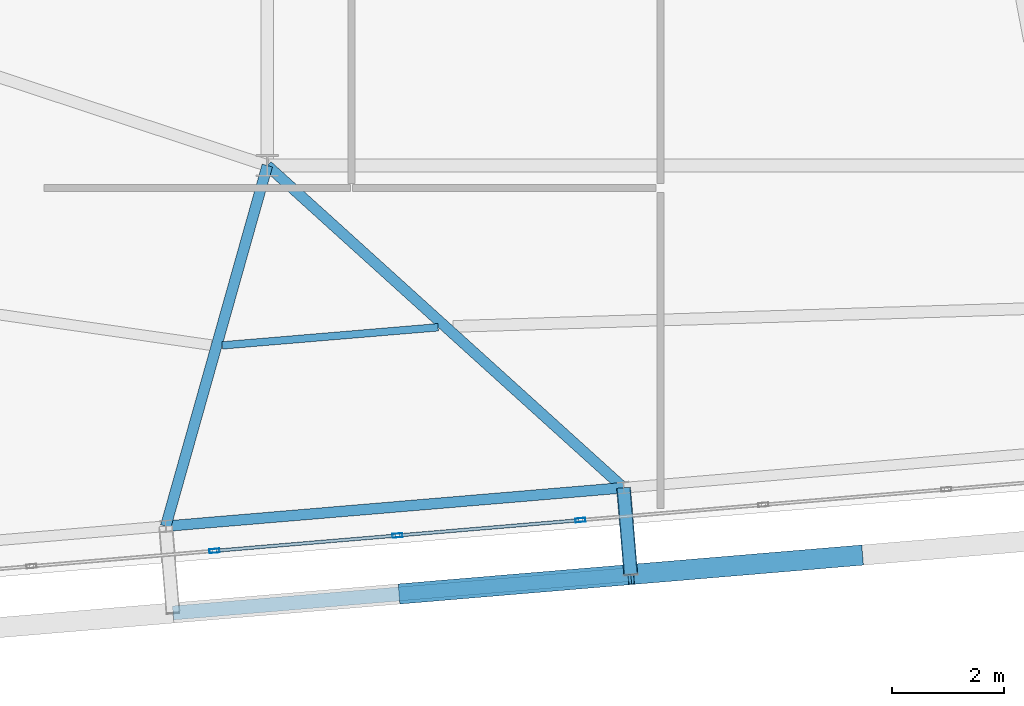
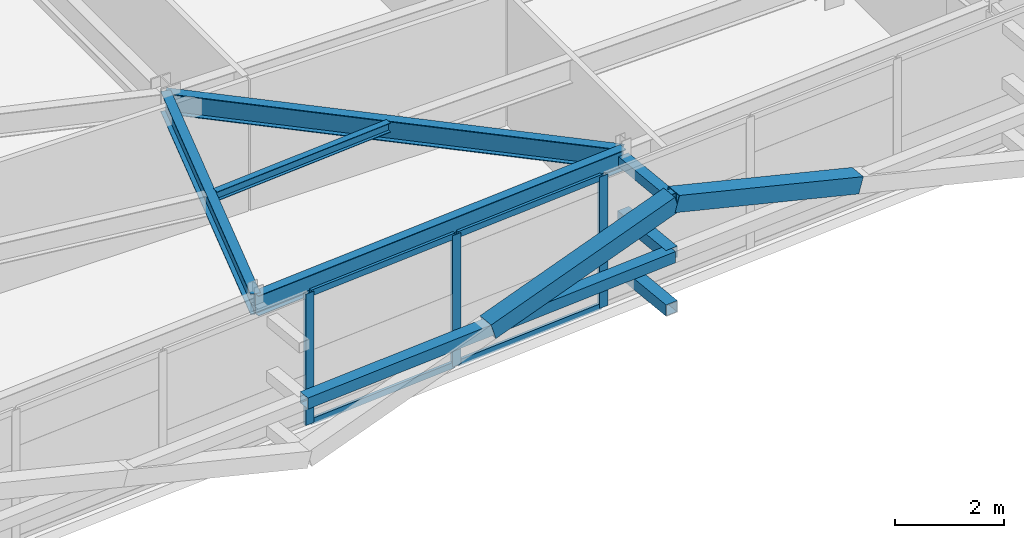
# One storey, part 11 of 46: 13 members, 4 beams, 1 element without a shape of its own.
"""IFC4 building model written with IfcOpenShell, lengths in metres."""

from ifc_helpers import new_model, si_unit, direction, frame, origin, origin_2d, place, context, subcontext, project, spatial, hollow_rectangle, i_section, extrude, source, transform, mapped, material, layer, layer_set, material_profile, profile_set, type_object, element, aggregate, save


model = new_model("IFC4")

# Units and contexts
model_context = context("Model", 3, precision=1e-05, world=origin(), true_north=direction((0.0, 1.0)))
body_context = subcontext(model_context, "Body", "Model", "MODEL_VIEW")
ifc_project = project(units=[si_unit("LENGTHUNIT", "METRE"), si_unit("AREAUNIT", "SQUARE_METRE"), si_unit("VOLUMEUNIT", "CUBIC_METRE"), si_unit("PLANEANGLEUNIT", "RADIAN"), si_unit("MASSUNIT", "GRAM", prefix="KILO")], contexts=[model_context])

# Site, building, storey
site_placement = place(None, origin())
site = spatial("IfcSite", under=ifc_project, at=site_placement, CompositionType="ELEMENT")
building_placement = place(site_placement, origin())
building = spatial("IfcBuilding", under=site, at=building_placement, Name="Taldren Reach Tower", CompositionType="ELEMENT")
storey_placement = place(building_placement, frame((0.0, 0.0, 188.300048828125)))
storey = spatial("IfcBuildingStorey", under=building, at=storey_placement, Name="L57", CompositionType="ELEMENT", Elevation=188.300048828125)

# Members
ifc_material_1 = material(Name="Steel Gr 350 (C350L0)", Category="steel")
ifc_material_profile_1 = material_profile(ifc_material_1, hollow_rectangle(XDim=0.25, YDim=0.25, WallThickness=0.010009765625, at=origin_2d()), Name="250x250x10.0SHS")
ifc_profile_set_1 = profile_set([ifc_material_profile_1], Name="Steel Gr 350 (C350L0)")
member_type_1 = type_object("IfcMemberType", Name="MB-POST250", PredefinedType="POST", material=ifc_profile_set_1)
shared_shape_1 = source(origin(), body_context, "Body", "SweptSolid", [
    extrude(hollow_rectangle(XDim=0.25, YDim=0.25, WallThickness=0.010009765625, at=origin_2d()), origin(), (0.0, 0.0, 1.0), 1.5498046875),
])
for number, where, z_axis, x_axis, name in (
    (1, (34.34228515625, 3.462890625, 0.219970703125), (0.083645141657, -0.996495604746, 0.0), (0.996495604746, 0.083645141657, 0.0), "Exoskeleton base diaphragm tie strut B4-S3 L57"),
    (2, (34.34228515625, 3.462890625, 1.43505859375), (0.083645141657, -0.996495604746, 0.0), (0.996495604746, 0.083645141657, 0.0), "Exoskeleton mid-tier diaphragm tie B4-S3 L57"),
):
    element("IfcMember", number, at=place(storey_placement, frame(where, z_axis=z_axis, x_axis=x_axis)), inside=storey, type_object=member_type_1, Name=name, PredefinedType="POST", context=body_context, shape_type="MappedRepresentation", body=[
        mapped(shared_shape_1, transform((0.0, 0.0, 0.0), scale=1.0)),
    ])

# Beams
ifc_material_2 = material(Name="Steel Gr 350 (350PLUS)", Category="steel")
ifc_material_profile_2 = material_profile(ifc_material_2, i_section(OverallWidth=0.18994140625, OverallDepth=0.4541015625, WebThickness=0.008544921875, FlangeThickness=0.0126953125, at=origin_2d()), Name="460UB67.1")
ifc_profile_set_2 = profile_set([ifc_material_profile_2], Name="Steel Gr 350 (350PLUS)")
beam_type_1 = type_object("IfcBeamType", Name="SP-UB460B", PredefinedType="SPANDREL", material=ifc_profile_set_2)
shared_shape_2 = source(origin(), body_context, "Body", "SweptSolid", [
    extrude(i_section(OverallWidth=0.18994140625, OverallDepth=0.4541015625, WebThickness=0.008544921875, FlangeThickness=0.0126953125, at=origin_2d()), origin(), (0.0, 0.0, 1.0), 8.179931640625),
])
beam_1_placement = place(storey_placement, frame((26.19091796875, 2.778564453125, 2.702880859375), z_axis=(0.996494523218, 0.083658025296, 0.0), x_axis=(-0.083658025296, 0.996494523218, 0.0)))
element("IfcBeam", 3, at=beam_1_placement, inside=storey, type_object=beam_type_1, Name="Perimeter spandrel B4 S2-S3 L57", PredefinedType="SPANDREL", context=body_context, shape_type="MappedRepresentation", body=[
    mapped(shared_shape_2, transform((0.0, 0.0, 0.0), scale=1.0)),
])
ifc_material_profile_3 = material_profile(ifc_material_2, i_section(OverallWidth=0.19091796875, OverallDepth=0.4599609375, WebThickness=0.010009765625, FlangeThickness=0.01611328125, at=origin_2d()), Name="460UB82.1")
ifc_profile_set_3 = profile_set([ifc_material_profile_3], Name="Steel Gr 350 (350PLUS)")
beam_type_2 = type_object("IfcBeamType", Name="BM-UB460A", PredefinedType="BEAM", material=ifc_profile_set_3)
shared_shape_3 = source(origin(), body_context, "Body", "SweptSolid", [
    extrude(i_section(OverallWidth=0.19091796875, OverallDepth=0.4599609375, WebThickness=0.010009765625, FlangeThickness=0.01611328125, at=origin_2d()), origin(), (0.0, 0.0, 1.0), 6.67138671875),
])
beam_2_placement = place(storey_placement, frame((28.0, 9.199951171875, 2.699951171875), z_axis=(-0.271171579948, -0.962531025073, 0.0), x_axis=(0.962531025073, -0.271171579948, 0.0)))
element("IfcBeam", 4, at=beam_2_placement, inside=storey, type_object=beam_type_2, Name="Primary floor girder B4-S2 L57", PredefinedType="BEAM", context=body_context, shape_type="MappedRepresentation", body=[
    mapped(shared_shape_3, transform((0.0, 0.0, 0.0), scale=1.0)),
])
shared_shape_4 = source(origin(), body_context, "Body", "SweptSolid", [
    extrude(i_section(OverallWidth=0.19091796875, OverallDepth=0.4599609375, WebThickness=0.010009765625, FlangeThickness=0.01611328125, at=origin_2d()), origin(), (0.0, 0.0, 1.0), 8.552001953125),
])
beam_3_placement = place(storey_placement, frame((28.0, 9.199951171875, 2.699951171875), z_axis=(0.741605435155, -0.670836327689, 0.0), x_axis=(0.670836327689, 0.741605435155, 0.0)))
element("IfcBeam", 5, at=beam_3_placement, inside=storey, type_object=beam_type_2, Name="Primary floor girder B4-S3 L57", PredefinedType="BEAM", context=body_context, shape_type="MappedRepresentation", body=[
    mapped(shared_shape_4, transform((0.0, 0.0, 0.0), scale=1.0)),
])
ifc_material_3 = material(Name="Steel Gr 300 (300PLUS, 300 MPa)", Category="steel")
ifc_material_profile_4 = material_profile(ifc_material_3, i_section(OverallWidth=0.134033203125, OverallDepth=0.20703125, WebThickness=0.00634765625, FlangeThickness=0.009521484375, at=origin_2d()), Name="200UB29.8")
ifc_profile_set_4 = profile_set([ifc_material_profile_4], Name="Steel Gr 300 (300PLUS, 300 MPa)")
beam_type_3 = type_object("IfcBeamType", Name="JS-UB200", PredefinedType="JOIST", material=ifc_profile_set_4)
shared_shape_5 = source(origin(), body_context, "Body", "SweptSolid", [
    extrude(i_section(OverallWidth=0.134033203125, OverallDepth=0.20703125, WebThickness=0.00634765625, FlangeThickness=0.009521484375, at=origin_2d()), origin(), (0.0, 0.0, 1.0), 3.857177734375),
])
beam_4_placement = place(storey_placement, frame((27.197021484375, 5.997802734375, 2.826416015625), z_axis=(0.996493179166, 0.083674033464, 0.0), x_axis=(-0.083674033464, 0.996493179166, 0.0)))
element("IfcBeam", 6, at=beam_4_placement, inside=storey, type_object=beam_type_3, Name="Secondary floor joist B4 J2 L57", PredefinedType="JOIST", context=body_context, shape_type="MappedRepresentation", body=[
    mapped(shared_shape_5, transform((0.0, 0.0, 0.0), scale=1.0)),
])

# Members
ifc_material_4 = material(Name="Steel Gr 450 (C450L0)", Category="steel")
ifc_material_profile_5 = material_profile(ifc_material_4, hollow_rectangle(XDim=0.219970703125, YDim=0.219970703125, WallThickness=0.00830078125, at=origin_2d()), Name="220x220x8.2SHS")
ifc_profile_set_5 = profile_set([ifc_material_profile_5], Name="Steel Gr 450 (C450L0)")
member_type_2 = type_object("IfcMemberType", Name="MB-TIE219", PredefinedType="STRUT", material=ifc_profile_set_5)
shared_shape_6 = source(origin(), body_context, "Body", "SweptSolid", [
    extrude(hollow_rectangle(XDim=0.219970703125, YDim=0.219970703125, WallThickness=0.00830078125, at=origin_2d()), origin(), (0.0, 0.0, 1.0), 1.5498046875),
])
member_1_placement = place(storey_placement, frame((34.34228515625, 3.462890625, 2.64990234375), z_axis=(0.083645141657, -0.996495604746, 0.0), x_axis=(0.996495604746, 0.083645141657, 0.0)))
element("IfcMember", 7, at=member_1_placement, inside=storey, type_object=member_type_2, Name="Exoskeleton diaphragm tie strut B4-S3 L57", PredefinedType="STRUT", context=body_context, shape_type="MappedRepresentation", body=[
    mapped(shared_shape_6, transform((0.0, 0.0, 0.0), scale=1.0)),
])
shared_shape_7 = source(origin(), body_context, "Body", "SweptSolid", [
    extrude(hollow_rectangle(XDim=0.25, YDim=0.25, WallThickness=0.010009765625, at=origin_2d()), origin(), (0.0, 0.0, 1.0), 8.18017578125),
])
member_2_placement = place(storey_placement, frame((26.320556640625, 1.23388671875, 1.43505859375), z_axis=(0.996492034688, 0.083687662192, 0.0), x_axis=(-0.083687662192, 0.996492034688, 0.0)))
element("IfcMember", 8, at=member_2_placement, inside=storey, type_object=member_type_1, Name="Exoskeleton mid-height ring chord B4-S2 L57", PredefinedType="POST", context=body_context, shape_type="MappedRepresentation", body=[
    mapped(shared_shape_7, transform((0.0, 0.0, 0.0), scale=1.0)),
])
ifc_material_profile_6 = material_profile(ifc_material_4, hollow_rectangle(XDim=0.360107421875, YDim=0.360107421875, WallThickness=0.0126953125, at=origin_2d()), Name="360x360x12.7SHS")
ifc_profile_set_6 = profile_set([ifc_material_profile_6], Name="Steel Gr 450 (C450L0)")
member_type_3 = type_object("IfcMemberType", Name="MB-EXO356", PredefinedType="BRACE", material=ifc_profile_set_6)
shared_shape_8 = source(origin(), body_context, "Body", "SweptSolid", [
    extrude(hollow_rectangle(XDim=0.360107421875, YDim=0.360107421875, WallThickness=0.0126953125, at=origin_2d()), origin(), (0.0, 0.0, 1.0), 4.2666015625),
])
for number, where, z_axis, x_axis, name in (
    (9, (30.396240234375, 1.576171875, 1.43505859375), (0.955244723646, 0.080223619417, 0.284730906006), (-0.083687662192, 0.996492034688, 0.0), "Exoskeleton Diagrid Brace B4-S2 L57"),
    (10, (38.547607421875, 2.2607421875, 1.43505859375), (-0.955244723646, -0.080223619417, 0.284730906006), (0.083687662192, -0.996492034688, 0.0), "Exoskeleton Diagrid Brace B4-S3 L57"),
):
    element("IfcMember", number, at=place(storey_placement, frame(where, z_axis=z_axis, x_axis=x_axis)), inside=storey, type_object=member_type_3, Name=name, PredefinedType="BRACE", context=body_context, shape_type="MappedRepresentation", body=[
        mapped(shared_shape_8, transform((0.0, 0.0, 0.0), scale=1.0)),
    ])

# Curtain wall, members
ifc_material_5 = material(Name="Aluminium and Low-E Glass Unitised System", Category="aluminium")
ifc_layer = layer(ifc_material_5, 0.159912109375)
ifc_layer_set = layer_set([ifc_layer], Name="Aluminium and Low-E Glass Unitised System")
curtain_wall_type = type_object("IfcCurtainWallType", Name="CW-SYS-5", PredefinedType="NOTDEFINED", material=ifc_layer_set)
curtain_wall_placement = place(storey_placement, origin())
curtain_wall = element("IfcCurtainWall", 11, at=curtain_wall_placement, inside=storey, type_object=curtain_wall_type, Name="Unitised curtain wall CW-L57-S", PredefinedType="NOTDEFINED")
ifc_material_6 = material(Name="Anodised Aluminium 6063-T6", Category="aluminium")
ifc_material_profile_7 = material_profile(ifc_material_6, hollow_rectangle(XDim=0.070068359375, YDim=0.179931640625, WallThickness=0.00390625, at=origin_2d()), Name="ALU-180x70x4RHS")
ifc_profile_set_7 = profile_set([ifc_material_profile_7], Name="Anodised Aluminium 6063-T6")
member_type_4 = type_object("IfcMemberType", Name="CW-MUL-180", PredefinedType="MULLION", material=ifc_profile_set_7)
shared_shape_9 = source(origin(), body_context, "Body", "SweptSolid", [
    extrude(hollow_rectangle(XDim=0.070068359375, YDim=0.179931640625, WallThickness=0.00390625, at=origin_2d()), origin(), (0.0, 0.0, 1.0), 2.929931640625),
])
member_3_placement = place(storey_placement, frame((27.058349609375, 2.339599609375, 0.0), z_axis=(0.0, 0.0, 1.0), x_axis=(-0.083677894865, 0.996492854922, 0.0)))
member_3 = element("IfcMember", 12, at=member_3_placement, type_object=member_type_4, Name="CW-5 mullion 4", PredefinedType="MULLION", context=body_context, shape_type="MappedRepresentation", body=[
    mapped(shared_shape_9, transform((0.0, 0.0, 0.0), scale=1.0)),
])
member_4_placement = place(storey_placement, frame((30.316162109375, 2.613037109375, 0.0), z_axis=(0.0, 0.0, 1.0), x_axis=(-0.083677894865, 0.996492854922, 0.0)))
member_4 = element("IfcMember", 13, at=member_4_placement, type_object=member_type_4, Name="CW-5 mullion 5", PredefinedType="MULLION", context=body_context, shape_type="MappedRepresentation", body=[
    mapped(shared_shape_9, transform((0.0, 0.0, 0.0), scale=1.0)),
])
member_5_placement = place(storey_placement, frame((33.573974609375, 2.88671875, 0.0), z_axis=(0.0, 0.0, 1.0), x_axis=(-0.083677894865, 0.996492854922, 0.0)))
member_5 = element("IfcMember", 14, at=member_5_placement, type_object=member_type_4, Name="CW-5 mullion 6", PredefinedType="MULLION", context=body_context, shape_type="MappedRepresentation", body=[
    mapped(shared_shape_9, transform((0.0, 0.0, 0.0), scale=1.0)),
])
ifc_material_profile_8 = material_profile(ifc_material_6, hollow_rectangle(XDim=0.06005859375, YDim=0.135009765625, WallThickness=0.00341796875, at=origin_2d()), Name="ALU-135x60x3.5RHS")
ifc_profile_set_8 = profile_set([ifc_material_profile_8], Name="Anodised Aluminium 6063-T6")
member_type_5 = type_object("IfcMemberType", Name="CW-TRN-150", PredefinedType="USERDEFINED", material=ifc_profile_set_8)
shared_shape_10 = source(origin(), body_context, "Body", "SweptSolid", [
    extrude(hollow_rectangle(XDim=0.06005859375, YDim=0.135009765625, WallThickness=0.00341796875, at=origin_2d()), origin(), (0.0, 0.0, 1.0), 3.19921875),
])
member_6_placement = place(storey_placement, frame((27.09326171875, 2.342529296875, 0.030029296875), z_axis=(0.996496109493, 0.083639128198, 0.0), x_axis=(-0.083639128198, 0.996496109493, 0.0)))
member_6 = element("IfcMember", 15, at=member_6_placement, type_object=member_type_5, Name="CW-5 transom 4.1", ObjectType="TRANSOM", PredefinedType="USERDEFINED", context=body_context, shape_type="MappedRepresentation", body=[
    mapped(shared_shape_10, transform((0.0, 0.0, 0.0), scale=1.0)),
])
member_7_placement = place(storey_placement, frame((27.09326171875, 2.342529296875, 2.89990234375), z_axis=(0.996496109493, 0.083639128198, 0.0), x_axis=(-0.083639128198, 0.996496109493, 0.0)))
member_7 = element("IfcMember", 16, at=member_7_placement, type_object=member_type_5, Name="CW-5 transom 4.2", ObjectType="TRANSOM", PredefinedType="USERDEFINED", context=body_context, shape_type="MappedRepresentation", body=[
    mapped(shared_shape_10, transform((0.0, 0.0, 0.0), scale=1.0)),
])
member_8_placement = place(storey_placement, frame((30.35107421875, 2.615966796875, 0.030029296875), z_axis=(0.996489746258, 0.083714906697, 0.0), x_axis=(-0.083714906697, 0.996489746258, 0.0)))
member_8 = element("IfcMember", 17, at=member_8_placement, type_object=member_type_5, Name="CW-5 transom 5.1", ObjectType="TRANSOM", PredefinedType="USERDEFINED", context=body_context, shape_type="MappedRepresentation", body=[
    mapped(shared_shape_10, transform((0.0, 0.0, 0.0), scale=1.0)),
])
member_9_placement = place(storey_placement, frame((30.35107421875, 2.615966796875, 2.89990234375), z_axis=(0.996489746258, 0.083714906697, 0.0), x_axis=(-0.083714906697, 0.996489746258, 0.0)))
member_9 = element("IfcMember", 18, at=member_9_placement, type_object=member_type_5, Name="CW-5 transom 5.2", ObjectType="TRANSOM", PredefinedType="USERDEFINED", context=body_context, shape_type="MappedRepresentation", body=[
    mapped(shared_shape_10, transform((0.0, 0.0, 0.0), scale=1.0)),
])
aggregate(curtain_wall, [member_3, member_4, member_5, member_6, member_7, member_8, member_9])

save(model, "model.ifc")
